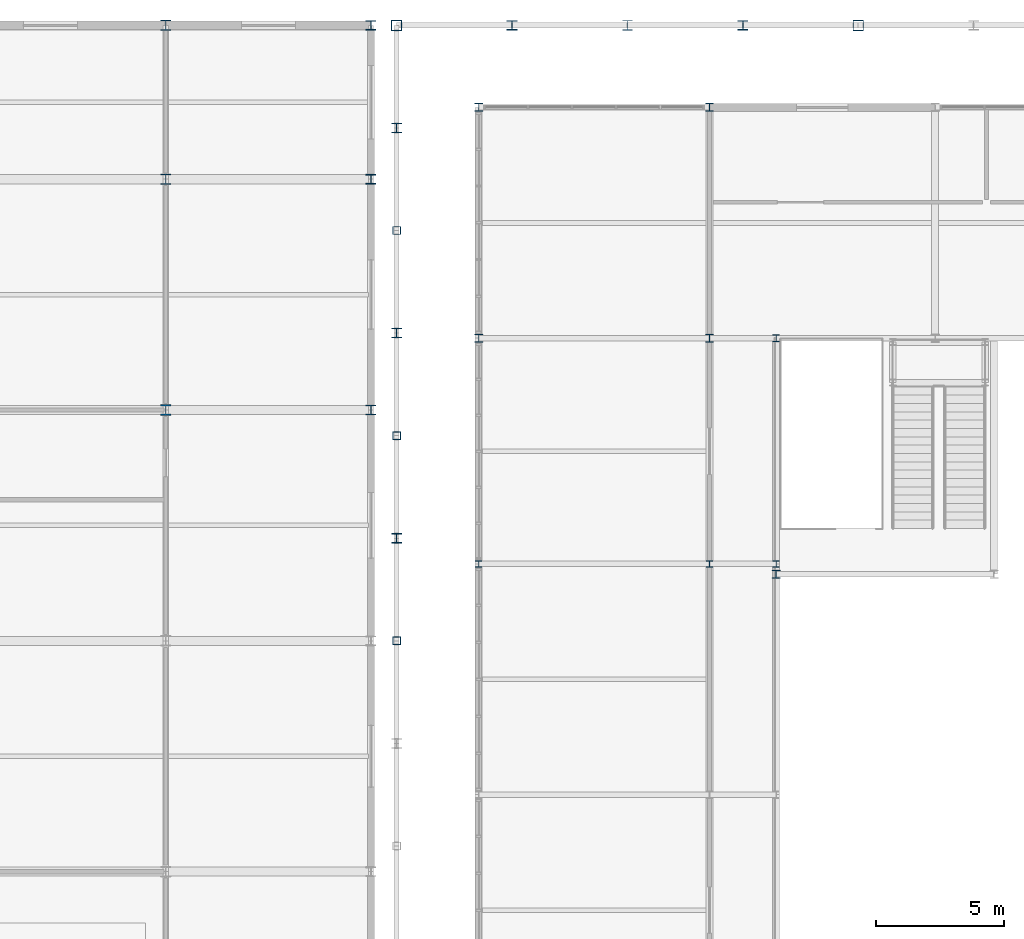
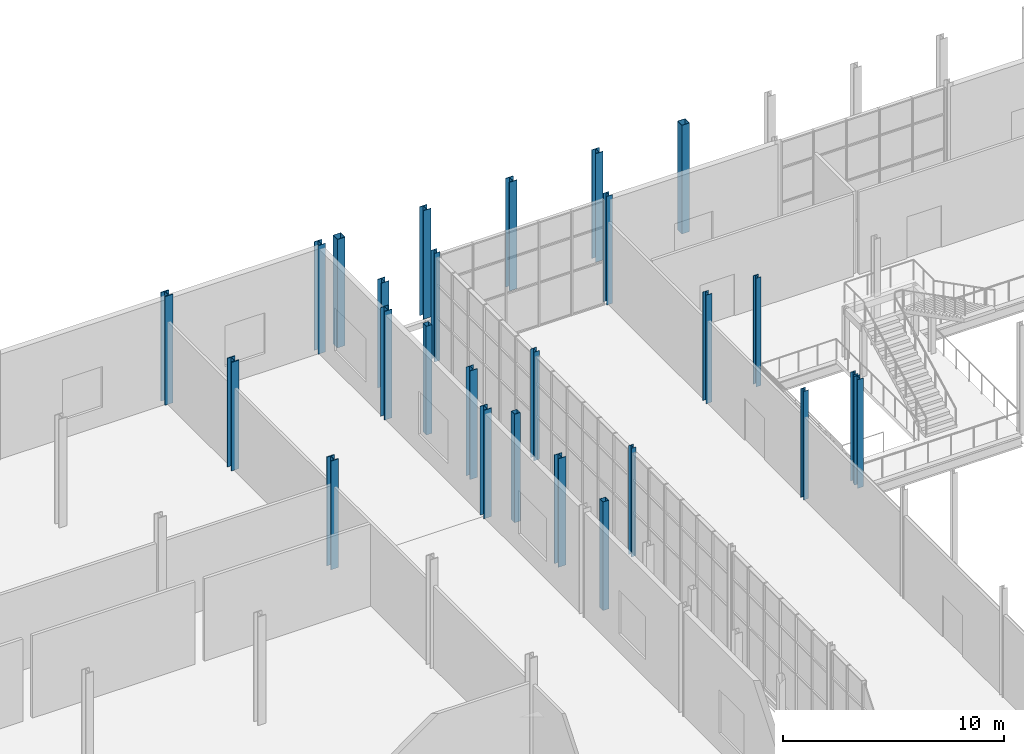
# One storey, part 11 of 159: 26 columns.
"""IFC4 building model written with IfcOpenShell, lengths in metres."""

import ifcopenshell
import ifcopenshell.guid

model = None  # the IFC model being written
_history = None  # IfcOwnerHistory: only IFC2X3 demands one
_inside = {}  # id of a spatial element -> (the spatial element, [elements in it])
_under = {}  # id of a project, library or spatial element -> (it, [spatial elements below it])
_declared = {}  # id of a project -> (the project, [libraries it declares])
_typed = {}  # id of a type object -> (the type object, [elements of that type])
_made_of = {}  # id of a material, layer set ... -> (it, [elements and type objects made of it])


def new_model(schema):
    """Start an empty IFC model of exactly this schema.

    Asked for "IFC4X3", IfcOpenShell would pick the latest addendum, in which some entities
    have other attributes; the version numbers below select the first issue.
    IFC2X3 requires an IfcOwnerHistory on every rooted entity: one is made here for all.
    """
    global model, _history
    if schema == "IFC4X3":
        model = ifcopenshell.file(schema_version=(4, 3, 0, 0))
    else:
        model = ifcopenshell.file(schema=schema)
    _inside.clear()
    _under.clear()
    _declared.clear()
    _typed.clear()
    _made_of.clear()
    _history = None
    if model.schema == "IFC2X3":
        org = make("IfcOrganization", Name="unknown")
        user = make(
            "IfcPersonAndOrganization",
            ThePerson=make("IfcPerson", FamilyName="unknown"),
            TheOrganization=org,
        )
        app = make(
            "IfcApplication",
            ApplicationDeveloper=org,
            Version="unknown",
            ApplicationFullName="unknown",
            ApplicationIdentifier="unknown",
        )
        _history = make(
            "IfcOwnerHistory",
            OwningUser=user,
            OwningApplication=app,
            ChangeAction="ADDED",
            CreationDate=0,
        )
    return model


def make(cls, **values):
    """One entity of the class cls with the attributes given. An attribute that is None is left unset."""
    return model.create_entity(
        cls, **{name: value for name, value in values.items() if value is not None}
    )


def rooted(cls, **values):
    """An entity with a GlobalId (a new one), such as an element, a storey or a relation."""
    return make(cls, GlobalId=ifcopenshell.guid.new(), OwnerHistory=_history, **values)


def si_unit(unit_type, name, prefix=None):
    """IfcSIUnit, for example si_unit("LENGTHUNIT", "METRE", prefix="MILLI")."""
    return make("IfcSIUnit", UnitType=unit_type, Prefix=prefix, Name=name)


def assignment(units):
    """IfcUnitAssignment: the units of a project."""
    return None if units is None else make("IfcUnitAssignment", Units=units)


def point(xyz):
    """IfcCartesianPoint."""
    return None if xyz is None else make("IfcCartesianPoint", Coordinates=xyz)


def direction(xyz):
    """IfcDirection."""
    return None if xyz is None else make("IfcDirection", DirectionRatios=xyz)


def frame(location, z_axis=None, x_axis=None):
    """IfcAxis2Placement3D, a coordinate frame: its origin and axes. An axis left out is left unset."""
    return make(
        "IfcAxis2Placement3D",
        Location=point(location),
        Axis=direction(z_axis),
        RefDirection=direction(x_axis),
    )


def frame_2d(location, x_axis=None):
    """IfcAxis2Placement2D, a coordinate frame in the plane: its origin and x axis."""
    return make(
        "IfcAxis2Placement2D", Location=point(location), RefDirection=direction(x_axis)
    )


def origin():
    """The frame at (0, 0, 0) with its axes left unset."""
    return frame((0.0, 0.0, 0.0))


def origin_2d():
    """The frame at (0, 0) in the plane with its x axis left unset."""
    return frame_2d((0.0, 0.0))


def place(relative_to, where):
    """IfcLocalPlacement: puts the frame where relative to a parent placement (None: the world)."""
    return make(
        "IfcLocalPlacement", PlacementRelTo=relative_to, RelativePlacement=where
    )


def context(
    kind, dimensions, precision=None, world=None, true_north=None, identifier=None
):
    """IfcGeometricRepresentationContext, for example the 3D "Model" context."""
    return make(
        "IfcGeometricRepresentationContext",
        ContextIdentifier=identifier,
        ContextType=kind,
        CoordinateSpaceDimension=dimensions,
        Precision=precision,
        WorldCoordinateSystem=world,
        TrueNorth=true_north,
    )


def subcontext(parent, identifier, kind, view, scale=None):
    """IfcGeometricRepresentationSubContext, for example "Body" below "Model"."""
    return make(
        "IfcGeometricRepresentationSubContext",
        ContextIdentifier=identifier,
        ContextType=kind,
        ParentContext=parent,
        TargetScale=scale,
        TargetView=view,
    )


def project(units=None, contexts=None):
    """IfcProject with its units and contexts."""
    return rooted(
        "IfcProject",
        Name="project",
        RepresentationContexts=contexts,
        UnitsInContext=assignment(units),
    )


def spatial(cls, under=None, at=None, **own):
    """A site, building, storey or space (cls), placed at a placement, below another one or the project."""
    s = rooted(cls, ObjectPlacement=at, **own)
    if under is not None:
        _under.setdefault(under.id(), (under, []))[1].append(s)
    return s


def profile(cls, at=None, kind="AREA", **sizes):
    """A parametric profile (cls). Its sizes go by their IFC names, for example OverallWidth=200.0."""
    return make(cls, ProfileType=kind, Position=at, **sizes)


def hollow_rectangle(**sizes):
    """IfcRectangleHollowProfileDef."""
    return profile("IfcRectangleHollowProfileDef", **sizes)


def i_section(**sizes):
    """IfcIShapeProfileDef."""
    return profile("IfcIShapeProfileDef", **sizes)


def extrude(swept, where, along, depth):
    """IfcExtrudedAreaSolid: the profile swept, set in the frame where, extruded along a direction by depth."""
    return make(
        "IfcExtrudedAreaSolid",
        SweptArea=swept,
        Position=where,
        ExtrudedDirection=direction(along),
        Depth=depth,
    )


def shape(context_of_items, identifier, shape_type, items):
    """IfcShapeRepresentation: the items that make up one representation, for example the "Body"."""
    return make(
        "IfcShapeRepresentation",
        ContextOfItems=context_of_items,
        RepresentationIdentifier=identifier,
        RepresentationType=shape_type,
        Items=items,
    )


def material(Name=None, Category=None):
    """IfcMaterial."""
    return make("IfcMaterial", Name=Name, Category=Category)


def material_profile(
    of_material, cross_section, Name=None, Category=None, Priority=None
):
    """IfcMaterialProfile: a cross section and its material."""
    return make(
        "IfcMaterialProfile",
        Name=Name,
        Material=of_material,
        Profile=cross_section,
        Priority=Priority,
        Category=Category,
    )


def profile_set(profiles, Name=None, composite=None):
    """IfcMaterialProfileSet."""
    return make(
        "IfcMaterialProfileSet",
        Name=Name,
        MaterialProfiles=profiles,
        CompositeProfile=composite,
    )


def made_of(thing, what):
    """Note that an element or type object is made of a material, layer set ...; save() writes the relation."""
    if what is not None:
        _made_of.setdefault(what.id(), (what, []))[1].append(thing)
    return thing


def type_object(cls, material=None, **own):
    """A type object (cls), such as IfcWallType, which elements share."""
    return made_of(rooted(cls, **own), material)


def element(
    cls,
    number,
    at=None,
    inside=None,
    cuts=None,
    type_object=None,
    material=None,
    context=None,
    identifier="Body",
    shape_type=None,
    held_by="IfcProductDefinitionShape",
    body=None,
    shapes=None,
    **own,
):
    """One element of the class cls, such as IfcWall. Its Tag is "e" and its number.

    at: its placement. inside: the storey or other place that contains it. cuts: it is an
    opening in that element (IfcRelVoidsElement). A single representation is given by context,
    identifier, shape_type and body (its items); several are given by shapes. held_by: the class
    of the entity that holds the representations. save() writes the other relations.
    """
    e = rooted(cls, Tag="e%d" % number, ObjectPlacement=at, **own)
    if body is not None:
        shapes = [shape(context, identifier, shape_type, body)]
    if shapes is not None:
        e.Representation = make(held_by, Representations=shapes)
    if inside is not None:
        _inside.setdefault(inside.id(), (inside, []))[1].append(e)
    if cuts is not None:
        rooted(
            "IfcRelVoidsElement", RelatingBuildingElement=cuts, RelatedOpeningElement=e
        )
    if type_object is not None:
        _typed.setdefault(type_object.id(), (type_object, []))[1].append(e)
    return made_of(e, material)


def aggregate(whole, parts):
    """IfcRelAggregates: a whole, such as a stair, and the parts it consists of."""
    return rooted("IfcRelAggregates", RelatingObject=whole, RelatedObjects=parts)


def save(model, path):
    """Write the relations noted so far, then the file.

    IfcRelAggregates (storeys below a building ...), IfcRelContainedInSpatialStructure (elements
    in a storey), IfcRelDefinesByType, IfcRelAssociatesMaterial and IfcRelDeclares: one each for
    every whole, place, type object, material and project.
    """
    for whole, parts in _under.values():
        aggregate(whole, parts)
    for where, things in _inside.values():
        rooted(
            "IfcRelContainedInSpatialStructure",
            RelatedElements=things,
            RelatingStructure=where,
        )
    for kind, things in _typed.values():
        rooted("IfcRelDefinesByType", RelatedObjects=things, RelatingType=kind)
    for what, things in _made_of.values():
        rooted("IfcRelAssociatesMaterial", RelatedObjects=things, RelatingMaterial=what)
    for by, libraries in _declared.values():
        rooted("IfcRelDeclares", RelatingContext=by, RelatedDefinitions=libraries)
    model.write(path)


model = new_model("IFC4")

# Units and contexts
model_context = context("Model", 3, precision=1e-05, world=origin(), true_north=direction((0.0, 1.0)))
body_context = subcontext(model_context, "Body", "Model", "MODEL_VIEW")
ifc_project = project(units=[si_unit("LENGTHUNIT", "METRE"), si_unit("AREAUNIT", "SQUARE_METRE"), si_unit("VOLUMEUNIT", "CUBIC_METRE"), si_unit("PLANEANGLEUNIT", "RADIAN"), si_unit("MASSUNIT", "GRAM", prefix="KILO")], contexts=[model_context])

# Site, building, storey
site_placement = place(None, origin())
site = spatial("IfcSite", under=ifc_project, at=site_placement, CompositionType="ELEMENT")
building_placement = place(site_placement, origin())
building = spatial("IfcBuilding", under=site, at=building_placement, Name="Cazmaro Siding Exhibition Halls", CompositionType="ELEMENT")
storey_placement = place(building_placement, frame((0.0, 0.0, 6.0)))
storey = spatial("IfcBuildingStorey", under=building, at=storey_placement, Name="L01", CompositionType="ELEMENT", Elevation=6.0)

# Columns
ifc_material_1 = material(Name="Steel ASTM A992 Grade 50", Category="steel")
ifc_material_profile_1 = material_profile(ifc_material_1, i_section(OverallWidth=0.406005859375, OverallDepth=0.416015625, WebThickness=0.030029296875, FlangeThickness=0.048095703125, at=origin_2d()), Name="W14X257")
ifc_profile_set_1 = profile_set([ifc_material_profile_1], Name="Steel ASTM A992 Grade 50")
column_type_1 = type_object("IfcColumnType", Name="C-01", PredefinedType="COLUMN", material=ifc_profile_set_1)
for number, where, z_axis, x_axis, name in (
    (1, (36.0, 109.0, 0.0), (0.0, 0.0, 1.0), (1.0, 0.0, 0.0), "Column C-01 COL-1066"),
    (2, (36.0, 118.0, 0.0), (0.0, 0.0, 1.0), (1.0, 0.0, 0.0), "Column C-01 COL-1070"),
    (3, (36.0, 124.0, 0.0), (0.0, 0.0, 1.0), (1.0, 0.0, 0.0), "Column C-01 COL-1073"),
):
    element("IfcColumn", number, at=place(storey_placement, frame(where, z_axis=z_axis, x_axis=x_axis)), inside=storey, type_object=column_type_1, Name=name, PredefinedType="COLUMN", context=body_context, shape_type="SweptSolid", body=[
        extrude(i_section(OverallWidth=0.406005859375, OverallDepth=0.416015625, WebThickness=0.030029296875, FlangeThickness=0.048095703125, at=origin_2d()), origin(), (0.0, 0.0, 1.0), 6.0),
    ])
ifc_material_2 = material(Name="Steel ASTM A992 Grade 50", Category="steel")
ifc_material_profile_2 = material_profile(ifc_material_2, i_section(OverallWidth=0.39208984375, OverallDepth=0.3759765625, WebThickness=0.01708984375, FlangeThickness=0.028076171875, at=origin_2d()), Name="W14X145")
ifc_profile_set_2 = profile_set([ifc_material_profile_2], Name="Steel ASTM A992 Grade 50")
column_type_2 = type_object("IfcColumnType", Name="C-03", PredefinedType="COLUMN", material=ifc_profile_set_2)
for number, where, z_axis, x_axis, name in (
    (4, (49.5, 124.0, 0.0), (0.0, 0.0, 1.0), (1.0, 0.0, 0.0), "Column C-03 COL-0011"),
    (5, (58.5, 124.0, 0.0), (0.0, 0.0, 1.0), (1.0, 0.0, 0.0), "Column C-03 COL-0023"),
    (6, (45.0, 104.0, 0.0), (0.0, 0.0, 1.0), (1.0, 0.0, 0.0), "Column C-03 COL-0203"),
    (7, (45.0, 112.0, 0.0), (0.0, 0.0, 1.0), (1.0, 0.0, 0.0), "Column C-03 COL-0209"),
    (8, (45.0, 120.0, 0.0), (0.0, 0.0, 1.0), (1.0, 0.0, 0.0), "Column C-03 COL-0215"),
    (9, (44.0, 109.0, 0.0), (0.0, 0.0, 1.0), (1.0, 0.0, 0.0), "Column C-03 COL-1088"),
    (10, (44.0, 118.0, 0.0), (0.0, 0.0, 1.0), (1.0, 0.0, 0.0), "Column C-03 COL-1090"),
    (11, (44.0, 124.0, 0.0), (0.0, 0.0, 1.0), (1.0, 0.0, 0.0), "Column C-03 COL-1092"),
):
    element("IfcColumn", number, at=place(storey_placement, frame(where, z_axis=z_axis, x_axis=x_axis)), inside=storey, type_object=column_type_2, Name=name, PredefinedType="COLUMN", context=body_context, shape_type="SweptSolid", body=[
        extrude(i_section(OverallWidth=0.39208984375, OverallDepth=0.3759765625, WebThickness=0.01708984375, FlangeThickness=0.028076171875, at=origin_2d()), origin(), (0.0, 0.0, 1.0), 6.0),
    ])
ifc_material_3 = material(Name="Steel ASTM A992 Grade 50", Category="steel")
ifc_material_profile_3 = material_profile(ifc_material_3, i_section(OverallWidth=0.304931640625, OverallDepth=0.306884765625, WebThickness=0.010009765625, FlangeThickness=0.014892578125, at=origin_2d()), Name="W12X65")
ifc_profile_set_3 = profile_set([ifc_material_profile_3], Name="Steel ASTM A992 Grade 50")
column_type_3 = type_object("IfcColumnType", Name="C-06", PredefinedType="COLUMN", material=ifc_profile_set_3)
for number, where, z_axis, x_axis, name in (
    (12, (48.199951171875, 111.800048828125, 0.0), (0.0, 0.0, 1.0), (1.0, 0.0, 0.0), "Column C-06 COL-0263"),
    (13, (48.199951171875, 120.800048828125, 0.0), (0.0, 0.0, 1.0), (1.0, 0.0, 0.0), "Column C-06 COL-0265"),
    (14, (57.199951171875, 111.800048828125, 0.0), (0.0, 0.0, 1.0), (1.0, 0.0, 0.0), "Column C-06 COL-0271"),
    (15, (57.199951171875, 120.800048828125, 0.0), (0.0, 0.0, 1.0), (1.0, 0.0, 0.0), "Column C-06 COL-0273"),
):
    element("IfcColumn", number, at=place(storey_placement, frame(where, z_axis=z_axis, x_axis=x_axis)), inside=storey, type_object=column_type_3, Name=name, PredefinedType="COLUMN", context=body_context, shape_type="SweptSolid", body=[
        extrude(i_section(OverallWidth=0.304931640625, OverallDepth=0.306884765625, WebThickness=0.010009765625, FlangeThickness=0.014892578125, at=origin_2d()), origin(), (0.0, 0.0, 1.0), 6.0),
    ])
ifc_material_4 = material(Name="Steel ASTM A992 Grade 50", Category="steel")
ifc_material_profile_4 = material_profile(ifc_material_4, i_section(OverallWidth=0.39892578125, OverallDepth=0.386962890625, WebThickness=0.02099609375, FlangeThickness=0.032958984375, at=origin_2d()), Name="W14X176")
ifc_profile_set_4 = profile_set([ifc_material_profile_4], Name="Steel ASTM A992 Grade 50")
column_type_4 = type_object("IfcColumnType", Name="C-11", PredefinedType="COLUMN", material=ifc_profile_set_4)
column_1_placement = place(storey_placement, frame((54.0, 124.0, 0.0), z_axis=(0.0, 0.0, 1.0), x_axis=(1.0, 0.0, 0.0)))
element("IfcColumn", 16, at=column_1_placement, inside=storey, type_object=column_type_4, Name="Column C-11 COL-0017", PredefinedType="COLUMN", context=body_context, shape_type="SweptSolid", body=[
    extrude(i_section(OverallWidth=0.39892578125, OverallDepth=0.386962890625, WebThickness=0.02099609375, FlangeThickness=0.032958984375, at=origin_2d()), origin(), (0.0, 0.0, 1.0), 6.0),
])
ifc_material_5 = material(Name="Steel ASTM A992 Grade 50", Category="steel")
ifc_material_profile_5 = material_profile(ifc_material_5, i_section(OverallWidth=0.30908203125, OverallDepth=0.320068359375, WebThickness=0.013916015625, FlangeThickness=0.02294921875, at=origin_2d()), Name="W12X96")
ifc_profile_set_5 = profile_set([ifc_material_profile_5], Name="Steel ASTM A992 Grade 50")
column_type_5 = type_object("IfcColumnType", Name="C-13", PredefinedType="COLUMN", material=ifc_profile_set_5)
column_2_placement = place(storey_placement, frame((59.800048828125, 102.60009765625, 0.0), z_axis=(0.0, 0.0, 1.0), x_axis=(1.0, 0.0, 0.0)))
element("IfcColumn", 17, at=column_2_placement, inside=storey, type_object=column_type_5, Name="Column C-13 COL-1198", PredefinedType="COLUMN", context=body_context, shape_type="SweptSolid", body=[
    extrude(i_section(OverallWidth=0.30908203125, OverallDepth=0.320068359375, WebThickness=0.013916015625, FlangeThickness=0.02294921875, at=origin_2d()), origin(), (0.0, 0.0, 1.0), 6.0),
])
ifc_material_6 = material(Name="Steel ASTM A992 Grade 50", Category="steel")
ifc_material_profile_6 = material_profile(ifc_material_6, i_section(OverallWidth=0.257080078125, OverallDepth=0.263916015625, WebThickness=0.011962890625, FlangeThickness=0.02001953125, at=origin_2d()), Name="W10X68")
ifc_profile_set_6 = profile_set([ifc_material_profile_6], Name="Steel ASTM A992 Grade 50")
column_type_6 = type_object("IfcColumnType", Name="C-14", PredefinedType="COLUMN", material=ifc_profile_set_6)
for number, where, z_axis, x_axis, name in (
    (18, (48.199951171875, 103.0, 0.0), (0.0, 0.0, 1.0), (1.0, 0.0, 0.0), "Column C-14 COL-0401"),
    (19, (57.199951171875, 103.0, 0.0), (0.0, 0.0, 1.0), (1.0, 0.0, 0.0), "Column C-14 COL-0411"),
    (20, (59.800048828125, 103.0, 0.0), (0.0, 0.0, 1.0), (1.0, 0.0, 0.0), "Column C-14 COL-0419"),
    (21, (59.800048828125, 111.800048828125, 0.0), (0.0, 0.0, 1.0), (1.0, 0.0, 0.0), "Column C-14 COL-0452"),
):
    element("IfcColumn", number, at=place(storey_placement, frame(where, z_axis=z_axis, x_axis=x_axis)), inside=storey, type_object=column_type_6, Name=name, PredefinedType="COLUMN", context=body_context, shape_type="SweptSolid", body=[
        extrude(i_section(OverallWidth=0.257080078125, OverallDepth=0.263916015625, WebThickness=0.011962890625, FlangeThickness=0.02001953125, at=origin_2d()), origin(), (0.0, 0.0, 1.0), 6.0),
    ])
ifc_material_7 = material(Name="Steel ASTM A500 Grade C", Category="steel")
ifc_material_profile_7 = material_profile(ifc_material_7, hollow_rectangle(XDim=0.406005859375, YDim=0.406005859375, WallThickness=0.014892578125, at=origin_2d()), Name="HSS16X16X5/8")
ifc_profile_set_7 = profile_set([ifc_material_profile_7], Name="Steel ASTM A500 Grade C")
column_type_7 = type_object("IfcColumnType", Name="PL-01", PredefinedType="PILASTER", material=ifc_profile_set_7)
for number, where, z_axis, x_axis, name in (
    (22, (45.0, 124.0, 0.0), (0.0, 0.0, 1.0), (1.0, 0.0, 0.0), "Column PL-01 COL-0005"),
    (23, (63.0, 124.0, 0.0), (0.0, 0.0, 1.0), (1.0, 0.0, 0.0), "Column PL-01 COL-0029"),
):
    element("IfcColumn", number, at=place(storey_placement, frame(where, z_axis=z_axis, x_axis=x_axis)), inside=storey, type_object=column_type_7, Name=name, PredefinedType="PILASTER", context=body_context, shape_type="SweptSolid", body=[
        extrude(hollow_rectangle(XDim=0.406005859375, YDim=0.406005859375, WallThickness=0.014892578125, at=origin_2d()), origin(), (0.0, 0.0, 1.0), 6.0),
    ])
ifc_material_8 = material(Name="Steel ASTM A500 Grade C", Category="steel")
ifc_material_profile_8 = material_profile(ifc_material_8, hollow_rectangle(XDim=0.304931640625, YDim=0.304931640625, WallThickness=0.014892578125, at=origin_2d()), Name="HSS12X12X5/8")
ifc_profile_set_8 = profile_set([ifc_material_profile_8], Name="Steel ASTM A500 Grade C")
column_type_8 = type_object("IfcColumnType", Name="PL-02", PredefinedType="PILASTER", material=ifc_profile_set_8)
for number, where, z_axis, x_axis, name in (
    (24, (45.0, 100.0, 0.0), (0.0, 0.0, 1.0), (1.0, 0.0, 0.0), "Column PL-02 COL-0200"),
    (25, (45.0, 108.0, 0.0), (0.0, 0.0, 1.0), (1.0, 0.0, 0.0), "Column PL-02 COL-0206"),
    (26, (45.0, 116.0, 0.0), (0.0, 0.0, 1.0), (1.0, 0.0, 0.0), "Column PL-02 COL-0212"),
):
    element("IfcColumn", number, at=place(storey_placement, frame(where, z_axis=z_axis, x_axis=x_axis)), inside=storey, type_object=column_type_8, Name=name, PredefinedType="PILASTER", context=body_context, shape_type="SweptSolid", body=[
        extrude(hollow_rectangle(XDim=0.304931640625, YDim=0.304931640625, WallThickness=0.014892578125, at=origin_2d()), origin(), (0.0, 0.0, 1.0), 6.0),
    ])

save(model, "model.ifc")
